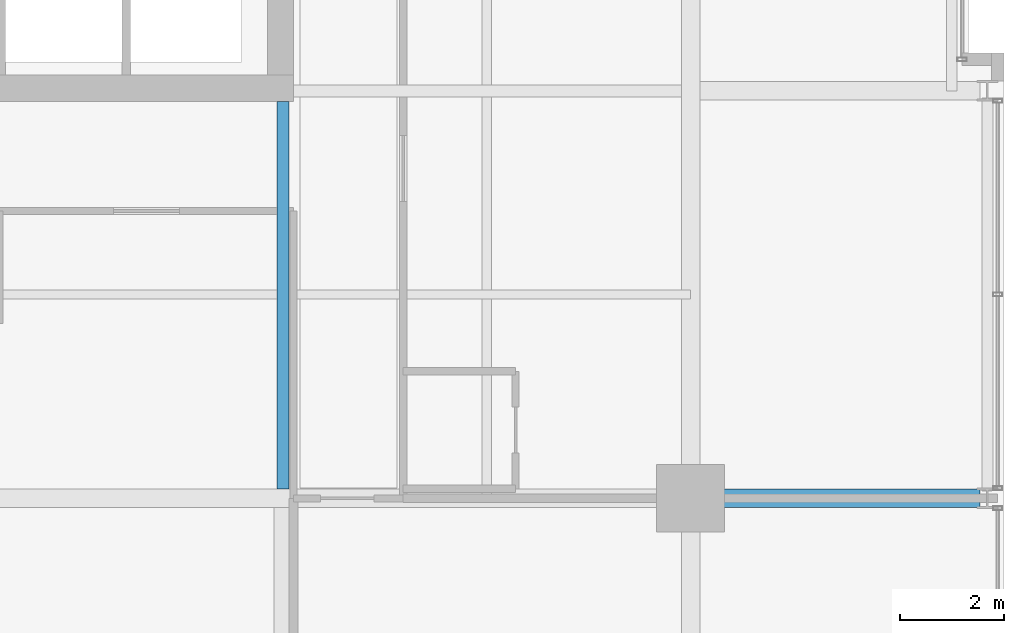
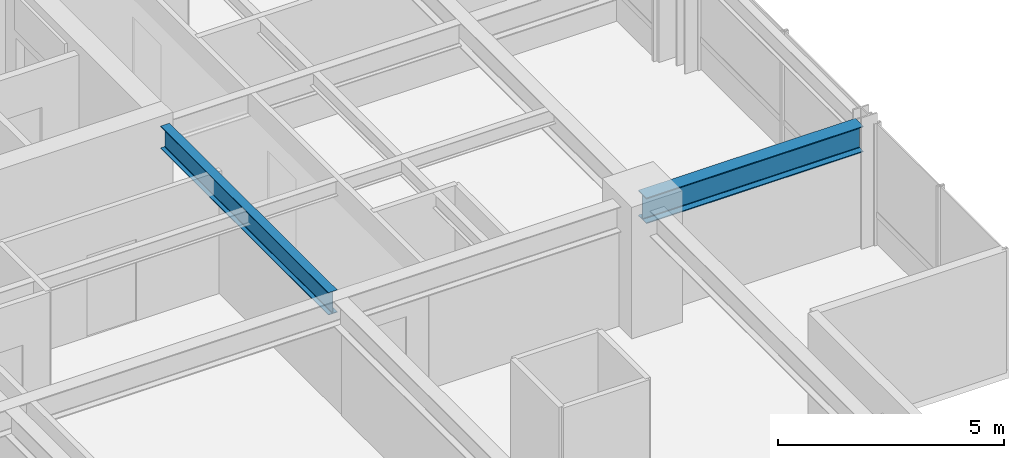
# One storey, part 12 of 31: 2 beams.
"""IFC4 building model written with IfcOpenShell, lengths in metres."""

from ifc_helpers import new_model, si_unit, direction, frame, origin, origin_2d, place, context, subcontext, project, spatial, i_section, extrude, material, material_profile, profile_set, type_object, element, save


model = new_model("IFC4")

# Units and contexts
model_context = context("Model", 3, precision=1e-05, world=origin(), true_north=direction((0.0, 1.0)))
body_context = subcontext(model_context, "Body", "Model", "MODEL_VIEW")
ifc_project = project(units=[si_unit("LENGTHUNIT", "METRE"), si_unit("AREAUNIT", "SQUARE_METRE"), si_unit("VOLUMEUNIT", "CUBIC_METRE"), si_unit("PLANEANGLEUNIT", "RADIAN"), si_unit("MASSUNIT", "GRAM", prefix="KILO")], contexts=[model_context])

# Site, building, storey
site_placement = place(None, origin())
site = spatial("IfcSite", under=ifc_project, at=site_placement, CompositionType="ELEMENT")
building_placement = place(site_placement, origin())
building = spatial("IfcBuilding", under=site, at=building_placement, Name="Drelvath Grand Hotel", CompositionType="ELEMENT")
storey_placement = place(building_placement, frame((0.0, 0.0, 185.89990234375)))
storey = spatial("IfcBuildingStorey", under=building, at=storey_placement, Name="L48", CompositionType="ELEMENT", Elevation=185.89990234375)

# Beams
ifc_material = material(Name="Steel ASTM A992 Gr 50", Category="steel")
ifc_material_profile_1 = material_profile(ifc_material, i_section(OverallWidth=0.228271484375, OverallDepth=0.607666015625, WebThickness=0.01123046875, FlangeThickness=0.017333984375, FilletRadius=0.02001953125, at=origin_2d()), Name="W24X76")
ifc_profile_set_1 = profile_set([ifc_material_profile_1], Name="Steel ASTM A992 Gr 50")
beam_type_1 = type_object("IfcBeamType", Name="Primary Floor Girder W24X76", PredefinedType="BEAM", material=ifc_profile_set_1)
beam_1_placement = place(storey_placement, frame((8.39990234375, 10.977294921875, 2.986328125), z_axis=(0.0, 1.0, 0.0), x_axis=(-1.0, 0.0, 0.0)))
element("IfcBeam", 1, at=beam_1_placement, inside=storey, type_object=beam_type_1, Name="L48 South Core Tie 6", PredefinedType="BEAM", context=body_context, shape_type="SweptSolid", body=[
    extrude(i_section(OverallWidth=0.228271484375, OverallDepth=0.607666015625, WebThickness=0.01123046875, FlangeThickness=0.017333984375, FilletRadius=0.02001953125, at=origin_2d()), origin(), (0.0, 0.0, 1.0), 7.422607421875),
])
ifc_material_profile_2 = material_profile(ifc_material, i_section(OverallWidth=0.354736328125, OverallDepth=0.695556640625, WebThickness=0.015380859375, FlangeThickness=0.025146484375, FilletRadius=0.02392578125, at=origin_2d()), Name="W27X146")
ifc_profile_set_2 = profile_set([ifc_material_profile_2], Name="Steel ASTM A992 Gr 50")
beam_type_2 = type_object("IfcBeamType", Name="Primary Floor Girder W27X146", PredefinedType="BEAM", material=ifc_profile_set_2)
beam_2_placement = place(storey_placement, frame((16.199951171875, 10.800048828125, 2.9423828125), z_axis=(1.0, 0.0, 0.0), x_axis=(0.0, 1.0, 0.0)))
element("IfcBeam", 2, at=beam_2_placement, inside=storey, type_object=beam_type_2, Name="L48 East Grid Girder C", PredefinedType="BEAM", context=body_context, shape_type="SweptSolid", body=[
    extrude(i_section(OverallWidth=0.354736328125, OverallDepth=0.695556640625, WebThickness=0.015380859375, FlangeThickness=0.025146484375, FilletRadius=0.02392578125, at=origin_2d()), origin(), (0.0, 0.0, 1.0), 5.5400390625),
])

save(model, "model.ifc")
